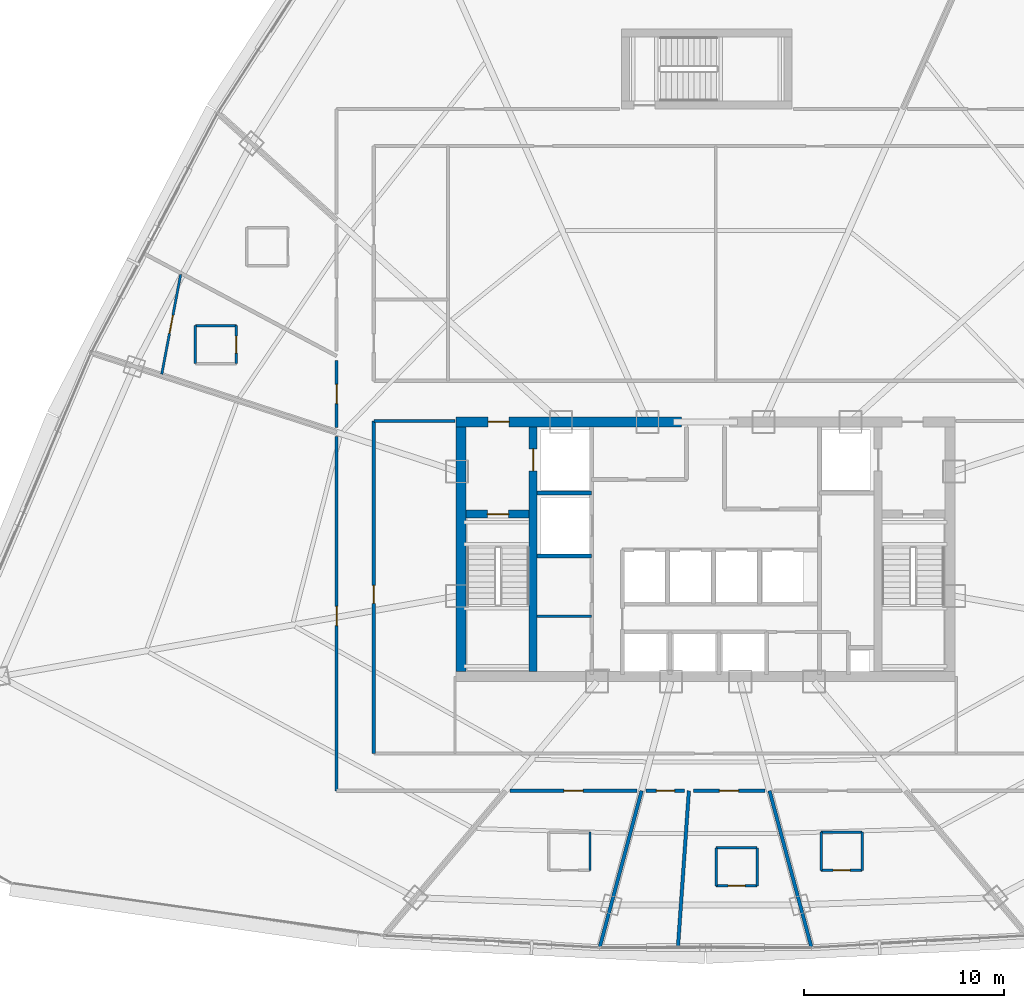
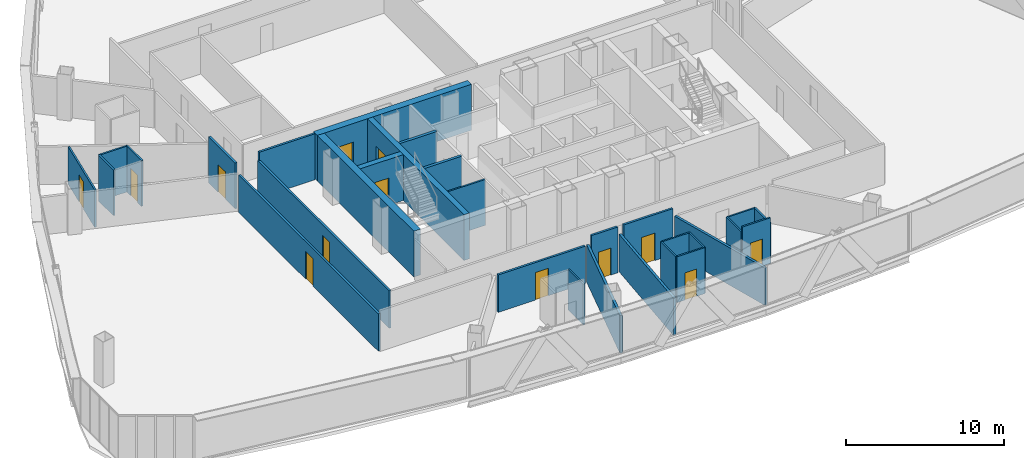
# One storey, part 32 of 40: 30 walls, 13 doors, 13 openings.
"""IFC4 building model written with IfcOpenShell, lengths in metres."""

from ifc_helpers import new_model, si_unit, direction, frame, frame_2d, origin, origin_with_axes, place, context, subcontext, project, spatial, rectangle, extrude, source, transform, mapped, material, layer, layer_set, type_object, element, fill, save


model = new_model("IFC4")

# Units and contexts
model_context = context("Model", 3, precision=1e-05, world=origin(), true_north=direction((0.0, 1.0)))
body_context = subcontext(model_context, "Body", "Model", "MODEL_VIEW")
ifc_project = project(units=[si_unit("LENGTHUNIT", "METRE"), si_unit("AREAUNIT", "SQUARE_METRE"), si_unit("VOLUMEUNIT", "CUBIC_METRE"), si_unit("PLANEANGLEUNIT", "RADIAN"), si_unit("MASSUNIT", "GRAM", prefix="KILO"), si_unit("THERMODYNAMICTEMPERATUREUNIT", "KELVIN"), si_unit("POWERUNIT", "WATT")], contexts=[model_context])

# Site, building, storey
site_placement = place(None, origin())
site = spatial("IfcSite", under=ifc_project, at=site_placement, CompositionType="ELEMENT")
building_placement = place(site_placement, origin())
building = spatial("IfcBuilding", under=site, at=building_placement, Name="Yunzhuo Pagoda Commons", CompositionType="ELEMENT")
storey_placement = place(building_placement, frame((0.0, 0.0, 180.9599609375)))
storey = spatial("IfcBuildingStorey", under=building, at=storey_placement, Name="L45", CompositionType="ELEMENT", Elevation=180.9599609375)

# Wall, opening, door
ifc_material_1 = material(Name="Concrete C50", Category="concrete")
ifc_layer_1 = layer(ifc_material_1, 0.5)
ifc_layer_set_1 = layer_set([ifc_layer_1], Name="Concrete C50")
wall_type_1 = type_object("IfcWallType", Name="W-C03 Upper Core Shear Wall 500", PredefinedType="SHEAR", material=ifc_layer_set_1)
wall_1_placement = place(storey_placement, frame((35.550048828125, 40.199951171875, 0.0), z_axis=(0.0, 0.0, 1.0), x_axis=(1.0, 0.0, 0.0)))
wall_1 = element("IfcWall", 1, at=wall_1_placement, inside=storey, type_object=wall_type_1, Name="L45 core shear wall NW", PredefinedType="SHEAR", context=body_context, shape_type="SweptSolid", body=[
    extrude(rectangle(XDim=11.25, YDim=0.5, at=frame_2d((5.625, 0.0))), origin(), (0.0, 0.0, 1.0), 3.5400390625),
])
opening_1_placement = place(wall_1_placement, frame((1.60009765625, 0.0, 0.0)))
opening_1 = element("IfcOpeningElement", 2, at=opening_1_placement, cuts=wall_1, Name="Opening D-02", PredefinedType="OPENING", context=body_context, shape_type="SweptSolid", body=[
    extrude(rectangle(XDim=1.050048828125, YDim=2.10009765625, at=frame_2d((0.52490234375, 1.050048828125))), frame((0.0, 0.260009765625, 0.0), z_axis=(0.0, -1.0, 0.0), x_axis=(1.0, 0.0, 0.0)), (0.0, 0.0, 1.0), 0.52001953125),
])
ifc_material_2 = material(Name="Galvanized fire-resisting metal leaf")
door_type_1 = type_object("IfcDoorType", Name="D-02 Firefighting Lobby & Refuge Fire Door 1050x2100", OperationType="NOTDEFINED", PredefinedType="DOOR", material=ifc_material_2)
shared_shape_1 = source(origin(), body_context, "Body", "SweptSolid", [
    extrude(rectangle(XDim=1.050048828125, YDim=2.10009765625, at=frame_2d((0.52490234375, 1.050048828125))), frame((0.0, 0.02490234375, 0.0), z_axis=(0.0, -1.0, 0.0), x_axis=(1.0, 0.0, 0.0)), (0.0, 0.0, 1.0), 0.050048828125),
])
door_1_placement = place(opening_1_placement, frame((1.050048828125, 0.0, 0.0), z_axis=(0.0, 0.0, 1.0), x_axis=(-1.0, 0.0, 0.0)))
door_1 = element("IfcDoor", 3, at=door_1_placement, inside=storey, type_object=door_type_1, Name="L45 Firefighting Lobby 1 fire door", OperationType="SINGLE_SWING_LEFT", OverallHeight=2.10009765625, OverallWidth=1.050048828125, PredefinedType="DOOR", context=body_context, shape_type="MappedRepresentation", body=[
    mapped(shared_shape_1, transform((0.0, 0.0, 0.0), scale=1.0)),
])
fill(opening_1, door_1)

# Wall
wall_2_placement = place(storey_placement, frame((35.800048828125, 27.75, 0.0), z_axis=(0.0, 0.0, 1.0), x_axis=(0.0, 1.0, 0.0)))
element("IfcWall", 4, at=wall_2_placement, inside=storey, type_object=wall_type_1, Name="L45 core shear wall W", PredefinedType="SHEAR", context=body_context, shape_type="SweptSolid", body=[
    extrude(rectangle(XDim=12.199951171875, YDim=0.5, at=frame_2d((6.10009765625, 0.0))), origin(), (0.0, 0.0, 1.0), 3.5400390625),
])

# Wall, opening, door
ifc_material_3 = material(Name="Gypsum plasterboard on acoustic stud")
ifc_layer_2 = layer(ifc_material_3, 0.155029296875)
ifc_layer_set_2 = layer_set([ifc_layer_2], Name="Gypsum plasterboard on acoustic stud")
wall_type_2 = type_object("IfcWallType", Name="W-COR2 Mid-Zone Rated Corridor Wall 155", PredefinedType="PARTITIONING", material=ifc_layer_set_2)
wall_3_placement = place(storey_placement, frame((31.449951171875, 23.64990234375, 0.0), z_axis=(0.0, 0.0, 1.0), x_axis=(0.0, 1.0, 0.0)))
wall_3 = element("IfcWall", 5, at=wall_3_placement, inside=storey, type_object=wall_type_2, Name="L45 interior wall IW-L45-SFLW", PredefinedType="PARTITIONING", context=body_context, shape_type="SweptSolid", body=[
    extrude(rectangle(XDim=16.60009765625, YDim=0.155029296875, at=frame_2d((8.300048828125, 0.0))), origin(), (0.0, 0.0, 1.0), 2.89013671875),
])
opening_2_placement = place(wall_3_placement, frame((7.5, 0.0, 0.0)))
opening_2 = element("IfcOpeningElement", 6, at=opening_2_placement, cuts=wall_3, Name="Opening D-12", PredefinedType="OPENING", context=body_context, shape_type="SweptSolid", body=[
    extrude(rectangle(XDim=0.89990234375, YDim=2.080078125, at=frame_2d((0.449951171875, 1.0400390625))), frame((0.0, 0.08740234375, 0.0), z_axis=(0.0, -1.0, 0.0), x_axis=(1.0, 0.0, 0.0)), (0.0, 0.0, 1.0), 0.175048828125),
])
ifc_material_4 = material(Name="Powder-coated aluminium and timber acoustic leaf", Category="wood")
door_type_2 = type_object("IfcDoorType", Name="D-12 Quiet Study Interior Door 900x2080", OperationType="NOTDEFINED", PredefinedType="DOOR", material=ifc_material_4)
shared_shape_2 = source(origin(), body_context, "Body", "SweptSolid", [
    extrude(rectangle(XDim=0.89990234375, YDim=2.080078125, at=frame_2d((0.449951171875, 1.0400390625))), frame((0.0, 0.02490234375, 0.0), z_axis=(0.0, -1.0, 0.0), x_axis=(1.0, 0.0, 0.0)), (0.0, 0.0, 1.0), 0.050048828125),
])
door_2_placement = place(opening_2_placement, origin_with_axes())
door_2 = element("IfcDoor", 7, at=door_2_placement, inside=storey, type_object=door_type_2, Name="L45 west study workroom door", OperationType="SINGLE_SWING_LEFT", OverallHeight=2.080078125, OverallWidth=0.89990234375, PredefinedType="DOOR", context=body_context, shape_type="MappedRepresentation", body=[
    mapped(shared_shape_2, transform((0.0, 0.0, 0.0), scale=1.0)),
])
fill(opening_2, door_2)

# Wall
wall_4_placement = place(storey_placement, frame((31.449951171875, 40.25, 0.0), z_axis=(0.0, 0.0, 1.0), x_axis=(1.0, 0.0, 0.0)))
element("IfcWall", 8, at=wall_4_placement, inside=storey, type_object=wall_type_2, Name="L45 interior wall IW-L45-SFLNW", PredefinedType="PARTITIONING", context=body_context, shape_type="SweptSolid", body=[
    extrude(rectangle(XDim=4.050048828125, YDim=0.155029296875, at=frame_2d((2.02490234375, 0.0))), origin(), (0.0, 0.0, 1.0), 3.5400390625),
])

# Wall, opening, door
wall_5_placement = place(storey_placement, frame((29.60009765625, 21.800048828125, 0.0), z_axis=(0.0, 0.0, 1.0), x_axis=(0.0, 1.0, 0.0)))
wall_5 = element("IfcWall", 9, at=wall_5_placement, inside=storey, type_object=wall_type_2, Name="L45 interior wall IW-L45-CWL01", PredefinedType="PARTITIONING", context=body_context, shape_type="SweptSolid", body=[
    extrude(rectangle(XDim=17.65869140625, YDim=0.155029296875, at=frame_2d((8.829345703125, 0.0))), origin(), (0.0, 0.0, 1.0), 2.89013671875),
])
opening_3_placement = place(wall_5_placement, frame((8.234375, 0.0, 0.0)))
opening_3 = element("IfcOpeningElement", 10, at=opening_3_placement, cuts=wall_5, Name="Opening D-07", PredefinedType="OPENING", context=body_context, shape_type="SweptSolid", body=[
    extrude(rectangle(XDim=0.9599609375, YDim=2.1201171875, at=frame_2d((0.47998046875, 1.06005859375))), frame((0.0, 0.08740234375, 0.0), z_axis=(0.0, -1.0, 0.0), x_axis=(1.0, 0.0, 0.0)), (0.0, 0.0, 1.0), 0.175048828125),
])
door_type_3 = type_object("IfcDoorType", Name="D-07 Mid-Zone Suite Entrance Fire Door 960x2120", OperationType="NOTDEFINED", PredefinedType="DOOR", material=ifc_material_2)
shared_shape_3 = source(origin(), body_context, "Body", "SweptSolid", [
    extrude(rectangle(XDim=0.9599609375, YDim=2.1201171875, at=frame_2d((0.47998046875, 1.06005859375))), frame((0.0, 0.02490234375, 0.0), z_axis=(0.0, -1.0, 0.0), x_axis=(1.0, 0.0, 0.0)), (0.0, 0.0, 1.0), 0.050048828125),
])
door_3_placement = place(opening_3_placement, origin_with_axes())
door_3 = element("IfcDoor", 11, at=door_3_placement, inside=storey, type_object=door_type_3, Name="L45 Resident Co-Living Commons Hall door", OperationType="SINGLE_SWING_RIGHT", OverallHeight=2.1201171875, OverallWidth=0.9599609375, PredefinedType="DOOR", context=body_context, shape_type="MappedRepresentation", body=[
    mapped(shared_shape_3, transform((0.0, 0.0, 0.0), scale=1.0)),
])
fill(opening_3, door_3)

wall_6_placement = place(storey_placement, frame((29.60009765625, 39.909912109375, 0.0), z_axis=(0.0, 0.0, 1.0), x_axis=(0.0, 1.0, 0.0)))
wall_6 = element("IfcWall", 12, at=wall_6_placement, inside=storey, type_object=wall_type_2, Name="L45 interior wall IW-L45-CWL02", PredefinedType="PARTITIONING", context=body_context, shape_type="SweptSolid", body=[
    extrude(rectangle(XDim=3.353515625, YDim=0.155029296875, at=frame_2d((1.6767578125, 0.0))), origin(), (0.0, 0.0, 1.0), 3.5400390625),
])
opening_4_placement = place(wall_6_placement, frame((1.1962890625, 0.0, 0.0)))
opening_4 = element("IfcOpeningElement", 13, at=opening_4_placement, cuts=wall_6, Name="Opening D-07", PredefinedType="OPENING", context=body_context, shape_type="SweptSolid", body=[
    extrude(rectangle(XDim=0.9599609375, YDim=2.1201171875, at=frame_2d((0.47998046875, 1.06005859375))), frame((0.0, 0.08740234375, 0.0), z_axis=(0.0, -1.0, 0.0), x_axis=(1.0, 0.0, 0.0)), (0.0, 0.0, 1.0), 0.175048828125),
])
door_4_placement = place(opening_4_placement, origin_with_axes())
door_4 = element("IfcDoor", 14, at=door_4_placement, inside=storey, type_object=door_type_3, Name="L45 unit 07 entrance door", OperationType="SINGLE_SWING_LEFT", OverallHeight=2.1201171875, OverallWidth=0.9599609375, PredefinedType="DOOR", context=body_context, shape_type="MappedRepresentation", body=[
    mapped(shared_shape_3, transform((0.0, 0.0, 0.0), scale=1.0)),
])
fill(opening_4, door_4)

wall_7_placement = place(storey_placement, frame((50.96875, 21.800048828125, 0.0), z_axis=(0.0, 0.0, 1.0), x_axis=(-1.0, 0.0, 0.0)))
wall_7 = element("IfcWall", 15, at=wall_7_placement, inside=storey, type_object=wall_type_2, Name="L45 interior wall IW-L45-CWL15", PredefinedType="PARTITIONING", context=body_context, shape_type="SweptSolid", body=[
    extrude(rectangle(XDim=3.5810546875, YDim=0.155029296875, at=frame_2d((1.79052734375, 0.0))), origin(), (0.0, 0.0, 1.0), 3.5400390625),
])
opening_5_placement = place(wall_7_placement, frame((1.3154296875, 0.0, 0.0)))
opening_5 = element("IfcOpeningElement", 16, at=opening_5_placement, cuts=wall_7, Name="Opening D-07", PredefinedType="OPENING", context=body_context, shape_type="SweptSolid", body=[
    extrude(rectangle(XDim=0.9599609375, YDim=2.1201171875, at=frame_2d((0.47998046875, 1.06005859375))), frame((0.0, 0.08740234375, 0.0), z_axis=(0.0, -1.0, 0.0), x_axis=(1.0, 0.0, 0.0)), (0.0, 0.0, 1.0), 0.175048828125),
])
door_5_placement = place(opening_5_placement, origin_with_axes())
door_5 = element("IfcDoor", 17, at=door_5_placement, inside=storey, type_object=door_type_3, Name="L45 unit 11 entrance door", OperationType="SINGLE_SWING_LEFT", OverallHeight=2.1201171875, OverallWidth=0.9599609375, PredefinedType="DOOR", context=body_context, shape_type="MappedRepresentation", body=[
    mapped(shared_shape_3, transform((0.0, 0.0, 0.0), scale=1.0)),
])
fill(opening_5, door_5)

wall_8_placement = place(storey_placement, frame((46.947509765625, 21.800048828125, 0.0), z_axis=(0.0, 0.0, 1.0), x_axis=(-1.0, 0.0, 0.0)))
wall_8 = element("IfcWall", 18, at=wall_8_placement, inside=storey, type_object=wall_type_2, Name="L45 interior wall IW-L45-CWL16", PredefinedType="PARTITIONING", context=body_context, shape_type="SweptSolid", body=[
    extrude(rectangle(XDim=1.916259765625, YDim=0.155029296875, at=frame_2d((0.9580078125, 0.0))), origin(), (0.0, 0.0, 1.0), 3.5400390625),
])
opening_6_placement = place(wall_8_placement, frame((0.497802734375, 0.0, 0.0)))
opening_6 = element("IfcOpeningElement", 19, at=opening_6_placement, cuts=wall_8, Name="Opening D-12", PredefinedType="OPENING", context=body_context, shape_type="SweptSolid", body=[
    extrude(rectangle(XDim=0.89990234375, YDim=2.080078125, at=frame_2d((0.449951171875, 1.0400390625))), frame((0.0, 0.08740234375, 0.0), z_axis=(0.0, -1.0, 0.0), x_axis=(1.0, 0.0, 0.0)), (0.0, 0.0, 1.0), 0.175048828125),
])
door_6_placement = place(opening_6_placement, origin_with_axes())
door_6 = element("IfcDoor", 20, at=door_6_placement, inside=storey, type_object=door_type_2, Name="L45 study lounge 10 door", OperationType="SINGLE_SWING_RIGHT", OverallHeight=2.080078125, OverallWidth=0.89990234375, PredefinedType="DOOR", context=body_context, shape_type="MappedRepresentation", body=[
    mapped(shared_shape_2, transform((0.0, 0.0, 0.0), scale=1.0)),
])
fill(opening_6, door_6)

wall_9_placement = place(storey_placement, frame((44.58349609375, 21.800048828125, 0.0), z_axis=(0.0, 0.0, 1.0), x_axis=(-1.0, 0.0, 0.0)))
wall_9 = element("IfcWall", 21, at=wall_9_placement, inside=storey, type_object=wall_type_2, Name="L45 interior wall IW-L45-CWL17", PredefinedType="PARTITIONING", context=body_context, shape_type="SweptSolid", body=[
    extrude(rectangle(XDim=6.348876953125, YDim=0.155029296875, at=frame_2d((3.17431640625, 0.0))), origin(), (0.0, 0.0, 1.0), 2.89013671875),
])
opening_7_placement = place(wall_9_placement, frame((2.695556640625, 0.0, 0.0)))
opening_7 = element("IfcOpeningElement", 22, at=opening_7_placement, cuts=wall_9, Name="Opening D-07", PredefinedType="OPENING", context=body_context, shape_type="SweptSolid", body=[
    extrude(rectangle(XDim=0.9599609375, YDim=2.1201171875, at=frame_2d((0.47998046875, 1.06005859375))), frame((0.0, 0.08740234375, 0.0), z_axis=(0.0, -1.0, 0.0), x_axis=(1.0, 0.0, 0.0)), (0.0, 0.0, 1.0), 0.175048828125),
])
door_7_placement = place(opening_7_placement, origin_with_axes())
door_7 = element("IfcDoor", 23, at=door_7_placement, inside=storey, type_object=door_type_3, Name="L45 unit 09 entrance door", OperationType="SINGLE_SWING_LEFT", OverallHeight=2.1201171875, OverallWidth=0.9599609375, PredefinedType="DOOR", context=body_context, shape_type="MappedRepresentation", body=[
    mapped(shared_shape_3, transform((0.0, 0.0, 0.0), scale=1.0)),
])
fill(opening_7, door_7)

# Wall
ifc_layer_3 = layer(ifc_material_3, 0.1201171875)
ifc_layer_set_3 = layer_set([ifc_layer_3], Name="Gypsum plasterboard on acoustic stud")
wall_type_3 = type_object("IfcWallType", Name="W-PRT1 Suite & Bathroom Partition 120", PredefinedType="PARTITIONING", material=ifc_layer_set_3)
wall_10_placement = place(storey_placement, frame((39.60009765625, 30.5, 0.0), z_axis=(0.0, 0.0, 1.0), x_axis=(1.0, 0.0, 0.0)))
element("IfcWall", 24, at=wall_10_placement, inside=storey, type_object=wall_type_3, Name="L45 interior wall IW-L45-CB1", PredefinedType="PARTITIONING", context=body_context, shape_type="SweptSolid", body=[
    extrude(rectangle(XDim=2.719970703125, YDim=0.1201171875, at=frame_2d((1.35986328125, 0.0))), origin(), (0.0, 0.0, 1.0), 3.5400390625),
])

# Wall, opening, door
wall_11_placement = place(storey_placement, frame((24.596923828125, 43.09912109375, 0.0), z_axis=(0.0, 0.0, 1.0), x_axis=(0.0, 1.0, 0.0)))
wall_11 = element("IfcWall", 25, at=wall_11_placement, inside=storey, type_object=wall_type_3, Name="L45 interior wall IW-L45-B07E", PredefinedType="PARTITIONING", context=body_context, shape_type="SweptSolid", body=[
    extrude(rectangle(XDim=1.89990234375, YDim=0.1201171875, at=frame_2d((0.949951171875, 0.0))), origin(), (0.0, 0.0, 1.0), 3.5400390625),
])
opening_8_placement = place(wall_11_placement, frame((0.52490234375, 0.0, 0.0)))
opening_8 = element("IfcOpeningElement", 26, at=opening_8_placement, cuts=wall_11, Name="Opening D-05", PredefinedType="OPENING", context=body_context, shape_type="SweptSolid", body=[
    extrude(rectangle(XDim=0.85009765625, YDim=2.10009765625, at=frame_2d((0.425048828125, 1.050048828125))), frame((0.0, 0.070068359375, 0.0), z_axis=(0.0, -1.0, 0.0), x_axis=(1.0, 0.0, 0.0)), (0.0, 0.0, 1.0), 0.14013671875),
])
door_type_4 = type_object("IfcDoorType", Name="D-05 En-Suite Bathroom Door 850x2100", OperationType="NOTDEFINED", PredefinedType="DOOR", material=ifc_material_4)
shared_shape_4 = source(origin(), body_context, "Body", "SweptSolid", [
    extrude(rectangle(XDim=0.85009765625, YDim=2.10009765625, at=frame_2d((0.425048828125, 1.050048828125))), frame((0.0, 0.02490234375, 0.0), z_axis=(0.0, -1.0, 0.0), x_axis=(1.0, 0.0, 0.0)), (0.0, 0.0, 1.0), 0.050048828125),
])
door_8_placement = place(opening_8_placement, frame((0.85009765625, 0.0, 0.0), z_axis=(0.0, 0.0, 1.0), x_axis=(-1.0, 0.0, 0.0)))
door_8 = element("IfcDoor", 27, at=door_8_placement, inside=storey, type_object=door_type_4, Name="L45 unit 07 bathroom door", OperationType="SINGLE_SWING_LEFT", OverallHeight=2.10009765625, OverallWidth=0.85009765625, PredefinedType="DOOR", context=body_context, shape_type="MappedRepresentation", body=[
    mapped(shared_shape_4, transform((0.0, 0.0, 0.0), scale=1.0)),
])
fill(opening_8, door_8)

# Walls
wall_12_placement = place(storey_placement, frame((24.596923828125, 44.9990234375, 0.0), z_axis=(0.0, 0.0, 1.0), x_axis=(-1.0, 0.0, 0.0)))
element("IfcWall", 28, at=wall_12_placement, inside=storey, type_object=wall_type_3, Name="L45 interior wall IW-L45-B07N", PredefinedType="PARTITIONING", context=body_context, shape_type="SweptSolid", body=[
    extrude(rectangle(XDim=2.0498046875, YDim=0.1201171875, at=frame_2d((1.02490234375, 0.0))), origin(), (0.0, 0.0, 1.0), 3.5400390625),
])
wall_13_placement = place(storey_placement, frame((22.547119140625, 44.9990234375, 0.0), z_axis=(0.0, 0.0, 1.0), x_axis=(0.0, -1.0, 0.0)))
element("IfcWall", 29, at=wall_13_placement, inside=storey, type_object=wall_type_3, Name="L45 interior wall IW-L45-B07W", PredefinedType="PARTITIONING", context=body_context, shape_type="SweptSolid", body=[
    extrude(rectangle(XDim=1.89990234375, YDim=0.1201171875, at=frame_2d((0.949951171875, 0.0))), origin(), (0.0, 0.0, 1.0), 3.5400390625),
])

# Wall, opening, door
wall_14_placement = place(storey_placement, frame((21.818359375, 47.55322265625, 0.0), z_axis=(0.0, 0.0, 1.0), x_axis=(-0.186234987185, -0.982505231308, 0.0)))
wall_14 = element("IfcWall", 30, at=wall_14_placement, inside=storey, type_object=wall_type_3, Name="L45 interior wall IW-L45-CLB07", PredefinedType="PARTITIONING", context=body_context, shape_type="SweptSolid", body=[
    extrude(rectangle(XDim=5.0654296875, YDim=0.1201171875, at=frame_2d((2.53271484375, 0.0))), origin(), (0.0, 0.0, 1.0), 2.89013671875),
])
opening_9_placement = place(wall_14_placement, frame((2.072509765625, 0.0, 0.0)))
opening_9 = element("IfcOpeningElement", 31, at=opening_9_placement, cuts=wall_14, Name="Opening D-04", PredefinedType="OPENING", context=body_context, shape_type="SweptSolid", body=[
    extrude(rectangle(XDim=0.919921875, YDim=2.10009765625, at=frame_2d((0.4599609375, 1.050048828125))), frame((0.0, 0.070068359375, 0.0), z_axis=(0.0, -1.0, 0.0), x_axis=(1.0, 0.0, 0.0)), (0.0, 0.0, 1.0), 0.14013671875),
])
door_type_5 = type_object("IfcDoorType", Name="D-04 Bedroom & Study Interior Door 920x2100", OperationType="NOTDEFINED", PredefinedType="DOOR", material=ifc_material_4)
shared_shape_5 = source(origin(), body_context, "Body", "SweptSolid", [
    extrude(rectangle(XDim=0.919921875, YDim=2.10009765625, at=frame_2d((0.4599609375, 1.050048828125))), frame((0.0, 0.02490234375, 0.0), z_axis=(0.0, -1.0, 0.0), x_axis=(1.0, 0.0, 0.0)), (0.0, 0.0, 1.0), 0.050048828125),
])
door_9_placement = place(opening_9_placement, origin_with_axes())
door_9 = element("IfcDoor", 32, at=door_9_placement, inside=storey, type_object=door_type_5, Name="L45 suite 07 bedroom door", OperationType="SINGLE_SWING_LEFT", OverallHeight=2.10009765625, OverallWidth=0.919921875, PredefinedType="DOOR", context=body_context, shape_type="MappedRepresentation", body=[
    mapped(shared_shape_5, transform((0.0, 0.0, 0.0), scale=1.0)),
])
fill(opening_9, door_9)

# Wall
wall_15_placement = place(storey_placement, frame((42.237060546875, 17.833984375, 0.0), z_axis=(0.0, 0.0, 1.0), x_axis=(0.0, 1.0, 0.0)))
element("IfcWall", 33, at=wall_15_placement, inside=storey, type_object=wall_type_3, Name="L45 interior wall IW-L45-B09E", PredefinedType="PARTITIONING", context=body_context, shape_type="SweptSolid", body=[
    extrude(rectangle(XDim=1.89990234375, YDim=0.1201171875, at=frame_2d((0.949951171875, 0.0))), origin(), (0.0, 0.0, 1.0), 3.14013671875),
])

# Wall, opening, door
wall_16_placement = place(storey_placement, frame((48.52490234375, 17.054931640625, 0.0), z_axis=(0.0, 0.0, 1.0), x_axis=(1.0, 0.0, 0.0)))
wall_16 = element("IfcWall", 34, at=wall_16_placement, inside=storey, type_object=wall_type_3, Name="L45 interior wall IW-L45-B11S", PredefinedType="PARTITIONING", context=body_context, shape_type="SweptSolid", body=[
    extrude(rectangle(XDim=2.050048828125, YDim=0.1201171875, at=frame_2d((1.02490234375, 0.0))), origin(), (0.0, 0.0, 1.0), 3.5400390625),
])
opening_10_placement = place(wall_16_placement, frame((0.60009765625, 0.0, 0.0)))
opening_10 = element("IfcOpeningElement", 35, at=opening_10_placement, cuts=wall_16, Name="Opening D-05", PredefinedType="OPENING", context=body_context, shape_type="SweptSolid", body=[
    extrude(rectangle(XDim=0.85009765625, YDim=2.10009765625, at=frame_2d((0.425048828125, 1.050048828125))), frame((0.0, 0.070068359375, 0.0), z_axis=(0.0, -1.0, 0.0), x_axis=(1.0, 0.0, 0.0)), (0.0, 0.0, 1.0), 0.14013671875),
])
door_10_placement = place(opening_10_placement, frame((0.85009765625, 0.0, 0.0), z_axis=(0.0, 0.0, 1.0), x_axis=(-1.0, 0.0, 0.0)))
door_10 = element("IfcDoor", 36, at=door_10_placement, inside=storey, type_object=door_type_4, Name="L45 unit 11 bathroom door", OperationType="SINGLE_SWING_LEFT", OverallHeight=2.10009765625, OverallWidth=0.85009765625, PredefinedType="DOOR", context=body_context, shape_type="MappedRepresentation", body=[
    mapped(shared_shape_4, transform((0.0, 0.0, 0.0), scale=1.0)),
])
fill(opening_10, door_10)

# Walls
wall_17_placement = place(storey_placement, frame((50.574951171875, 17.054931640625, 0.0), z_axis=(0.0, 0.0, 1.0), x_axis=(0.0, 1.0, 0.0)))
element("IfcWall", 37, at=wall_17_placement, inside=storey, type_object=wall_type_3, Name="L45 interior wall IW-L45-B11E", PredefinedType="PARTITIONING", context=body_context, shape_type="SweptSolid", body=[
    extrude(rectangle(XDim=1.900146484375, YDim=0.1201171875, at=frame_2d((0.9501953125, 0.0))), origin(), (0.0, 0.0, 1.0), 3.5400390625),
])
wall_18_placement = place(storey_placement, frame((50.574951171875, 18.955078125, 0.0), z_axis=(0.0, 0.0, 1.0), x_axis=(-1.0, 0.0, 0.0)))
element("IfcWall", 38, at=wall_18_placement, inside=storey, type_object=wall_type_3, Name="L45 interior wall IW-L45-B11N", PredefinedType="PARTITIONING", context=body_context, shape_type="SweptSolid", body=[
    extrude(rectangle(XDim=2.050048828125, YDim=0.1201171875, at=frame_2d((1.02490234375, 0.0))), origin(), (0.0, 0.0, 1.0), 3.5400390625),
])
wall_19_placement = place(storey_placement, frame((48.52490234375, 18.955078125, 0.0), z_axis=(0.0, 0.0, 1.0), x_axis=(0.0, -1.0, 0.0)))
element("IfcWall", 39, at=wall_19_placement, inside=storey, type_object=wall_type_3, Name="L45 interior wall IW-L45-B11W", PredefinedType="PARTITIONING", context=body_context, shape_type="SweptSolid", body=[
    extrude(rectangle(XDim=1.900146484375, YDim=0.1201171875, at=frame_2d((0.9501953125, 0.0))), origin(), (0.0, 0.0, 1.0), 3.5400390625),
])

# Wall, opening, door
wall_20_placement = place(storey_placement, frame((53.762939453125, 17.833984375, 0.0), z_axis=(0.0, 0.0, 1.0), x_axis=(1.0, 0.0, 0.0)))
wall_20 = element("IfcWall", 40, at=wall_20_placement, inside=storey, type_object=wall_type_3, Name="L45 interior wall IW-L45-B12S", PredefinedType="PARTITIONING", context=body_context, shape_type="SweptSolid", body=[
    extrude(rectangle(XDim=2.050048828125, YDim=0.1201171875, at=frame_2d((1.02490234375, 0.0))), origin(), (0.0, 0.0, 1.0), 3.5400390625),
])
opening_11_placement = place(wall_20_placement, frame((0.60009765625, 0.0, 0.0)))
opening_11 = element("IfcOpeningElement", 41, at=opening_11_placement, cuts=wall_20, Name="Opening D-05", PredefinedType="OPENING", context=body_context, shape_type="SweptSolid", body=[
    extrude(rectangle(XDim=0.85009765625, YDim=2.10009765625, at=frame_2d((0.425048828125, 1.050048828125))), frame((0.0, 0.070068359375, 0.0), z_axis=(0.0, -1.0, 0.0), x_axis=(1.0, 0.0, 0.0)), (0.0, 0.0, 1.0), 0.14013671875),
])
door_11_placement = place(opening_11_placement, frame((0.85009765625, 0.0, 0.0), z_axis=(0.0, 0.0, 1.0), x_axis=(-1.0, 0.0, 0.0)))
door_11 = element("IfcDoor", 42, at=door_11_placement, inside=storey, type_object=door_type_4, Name="L45 unit 12 bathroom door", OperationType="SINGLE_SWING_RIGHT", OverallHeight=2.10009765625, OverallWidth=0.85009765625, PredefinedType="DOOR", context=body_context, shape_type="MappedRepresentation", body=[
    mapped(shared_shape_4, transform((0.0, 0.0, 0.0), scale=1.0)),
])
fill(opening_11, door_11)

# Walls
wall_21_placement = place(storey_placement, frame((55.81298828125, 17.833984375, 0.0), z_axis=(0.0, 0.0, 1.0), x_axis=(0.0, 1.0, 0.0)))
element("IfcWall", 43, at=wall_21_placement, inside=storey, type_object=wall_type_3, Name="L45 interior wall IW-L45-B12E", PredefinedType="PARTITIONING", context=body_context, shape_type="SweptSolid", body=[
    extrude(rectangle(XDim=1.89990234375, YDim=0.1201171875, at=frame_2d((0.949951171875, 0.0))), origin(), (0.0, 0.0, 1.0), 3.14013671875),
])
wall_22_placement = place(storey_placement, frame((55.81298828125, 19.73388671875, 0.0), z_axis=(0.0, 0.0, 1.0), x_axis=(-1.0, 0.0, 0.0)))
element("IfcWall", 44, at=wall_22_placement, inside=storey, type_object=wall_type_3, Name="L45 interior wall IW-L45-B12N", PredefinedType="PARTITIONING", context=body_context, shape_type="SweptSolid", body=[
    extrude(rectangle(XDim=2.050048828125, YDim=0.1201171875, at=frame_2d((1.02490234375, 0.0))), origin(), (0.0, 0.0, 1.0), 3.14013671875),
])
wall_23_placement = place(storey_placement, frame((53.762939453125, 19.73388671875, 0.0), z_axis=(0.0, 0.0, 1.0), x_axis=(0.0, -1.0, 0.0)))
element("IfcWall", 45, at=wall_23_placement, inside=storey, type_object=wall_type_3, Name="L45 interior wall IW-L45-B12W", PredefinedType="PARTITIONING", context=body_context, shape_type="SweptSolid", body=[
    extrude(rectangle(XDim=1.89990234375, YDim=0.1201171875, at=frame_2d((0.949951171875, 0.0))), origin(), (0.0, 0.0, 1.0), 3.14013671875),
])
ifc_layer_4 = layer(ifc_material_3, 0.175048828125)
ifc_layer_set_4 = layer_set([ifc_layer_4], Name="Gypsum plasterboard on acoustic stud")
wall_type_4 = type_object("IfcWallType", Name="W-PRT3 Mid-Zone Demising Wall 175", PredefinedType="PARTITIONING", material=ifc_layer_set_4)
wall_24_placement = place(storey_placement, frame((44.811279296875, 21.800048828125, 0.0), z_axis=(0.0, 0.0, 1.0), x_axis=(-0.258815374981, -0.965926809688, 0.0)))
element("IfcWall", 46, at=wall_24_placement, inside=storey, type_object=wall_type_4, Name="L45 interior wall IW-L45-RAD10", PredefinedType="PARTITIONING", context=body_context, shape_type="SweptSolid", body=[
    extrude(rectangle(XDim=8.105712890625, YDim=0.175048828125, at=frame_2d((4.052734375, 0.0))), origin(), (0.0, 0.0, 1.0), 2.89013671875),
])
wall_25_placement = place(storey_placement, frame((47.16796875, 21.800048828125, 0.0), z_axis=(0.0, 0.0, 1.0), x_axis=(-0.069770314737, -0.997563082307, 0.0)))
element("IfcWall", 47, at=wall_25_placement, inside=storey, type_object=wall_type_4, Name="L45 interior wall IW-L45-RAD11", PredefinedType="PARTITIONING", context=body_context, shape_type="SweptSolid", body=[
    extrude(rectangle(XDim=7.8486328125, YDim=0.175048828125, at=frame_2d((3.92431640625, 0.0))), origin(), (0.0, 0.0, 1.0), 2.89013671875),
])
wall_26_placement = place(storey_placement, frame((51.188720703125, 21.800048828125, 0.0), z_axis=(0.0, 0.0, 1.0), x_axis=(0.258815374981, -0.965926809688, 0.0)))
element("IfcWall", 48, at=wall_26_placement, inside=storey, type_object=wall_type_4, Name="L45 interior wall IW-L45-RAD12", PredefinedType="PARTITIONING", context=body_context, shape_type="SweptSolid", body=[
    extrude(rectangle(XDim=8.105712890625, YDim=0.175048828125, at=frame_2d((4.052734375, 0.0))), origin(), (0.0, 0.0, 1.0), 2.89013671875),
])

# Wall, opening, door
ifc_material_5 = material(Name="Concrete C60", Category="concrete")
ifc_layer_5 = layer(ifc_material_5, 0.39990234375)
ifc_layer_set_5 = layer_set([ifc_layer_5], Name="Concrete C60")
wall_type_5 = type_object("IfcWallType", Name="W-S01 Internal Core Shear Web 400", PredefinedType="SHEAR", material=ifc_layer_set_5)
wall_27_placement = place(storey_placement, frame((39.39990234375, 27.75, 0.0), z_axis=(0.0, 0.0, 1.0), x_axis=(0.0, 1.0, 0.0)))
wall_27 = element("IfcWall", 49, at=wall_27_placement, inside=storey, type_object=wall_type_5, Name="L45 core shear wall WEBW", PredefinedType="SHEAR", context=body_context, shape_type="SweptSolid", body=[
    extrude(rectangle(XDim=12.199951171875, YDim=0.39990234375, at=frame_2d((6.10009765625, 0.0))), origin(), (0.0, 0.0, 1.0), 3.5400390625),
])
opening_12_placement = place(wall_27_placement, frame((10.0, 0.0, 0.0)))
opening_12 = element("IfcOpeningElement", 50, at=opening_12_placement, cuts=wall_27, Name="Opening LD-01", PredefinedType="OPENING", context=body_context, shape_type="SweptSolid", body=[
    extrude(rectangle(XDim=1.10009765625, YDim=2.10009765625, at=frame_2d((0.550048828125, 1.050048828125))), frame((0.0, 0.2099609375, 0.0), z_axis=(0.0, -1.0, 0.0), x_axis=(1.0, 0.0, 0.0)), (0.0, 0.0, 1.0), 0.419921875),
])
door_type_6 = type_object("IfcDoorType", Name="LD-01 Firefighting Lift Landing Door 1100x2100", OperationType="DOUBLE_DOOR_SLIDING", PredefinedType="DOOR", material=ifc_material_2)
shared_shape_6 = source(origin(), body_context, "Body", "SweptSolid", [
    extrude(rectangle(XDim=1.10009765625, YDim=2.10009765625, at=frame_2d((0.550048828125, 1.050048828125))), frame((0.0, 0.02490234375, 0.0), z_axis=(0.0, -1.0, 0.0), x_axis=(1.0, 0.0, 0.0)), (0.0, 0.0, 1.0), 0.050048828125),
])
door_12_placement = place(opening_12_placement, frame((1.10009765625, 0.0, 0.0), z_axis=(0.0, 0.0, 1.0), x_axis=(-1.0, 0.0, 0.0)))
door_12 = element("IfcDoor", 51, at=door_12_placement, inside=storey, type_object=door_type_6, Name="L45 Firefighting lift FL-1 landing door", OperationType="DOUBLE_DOOR_SLIDING", OverallHeight=2.10009765625, OverallWidth=1.10009765625, PredefinedType="DOOR", context=body_context, shape_type="MappedRepresentation", body=[
    mapped(shared_shape_6, transform((0.0, 0.0, 0.0), scale=1.0)),
])
fill(opening_12, door_12)

wall_28_placement = place(storey_placement, frame((36.050048828125, 35.60009765625, 0.0), z_axis=(0.0, 0.0, 1.0), x_axis=(1.0, 0.0, 0.0)))
wall_28 = element("IfcWall", 52, at=wall_28_placement, inside=storey, type_object=wall_type_5, Name="L45 core shear wall STW", PredefinedType="SHEAR", context=body_context, shape_type="SweptSolid", body=[
    extrude(rectangle(XDim=3.14990234375, YDim=0.39990234375, at=frame_2d((1.574951171875, 0.0))), origin(), (0.0, 0.0, 1.0), 3.5400390625),
])
opening_13_placement = place(wall_28_placement, frame((1.070068359375, 0.0, 0.0)))
opening_13 = element("IfcOpeningElement", 53, at=opening_13_placement, cuts=wall_28, Name="Opening D-01", PredefinedType="OPENING", context=body_context, shape_type="SweptSolid", body=[
    extrude(rectangle(XDim=1.050048828125, YDim=2.10009765625, at=frame_2d((0.52490234375, 1.050048828125))), frame((0.0, 0.2099609375, 0.0), z_axis=(0.0, -1.0, 0.0), x_axis=(1.0, 0.0, 0.0)), (0.0, 0.0, 1.0), 0.419921875),
])
door_type_7 = type_object("IfcDoorType", Name="D-01 Smokeproof Stair Fire Door 1050x2100", OperationType="NOTDEFINED", PredefinedType="DOOR", material=ifc_material_2)
door_13_placement = place(opening_13_placement, frame((1.050048828125, 0.0, 0.0), z_axis=(0.0, 0.0, 1.0), x_axis=(-1.0, 0.0, 0.0)))
door_13 = element("IfcDoor", 54, at=door_13_placement, inside=storey, type_object=door_type_7, Name="L45 Stair ST1 fire door", OperationType="SINGLE_SWING_LEFT", OverallHeight=2.10009765625, OverallWidth=1.050048828125, PredefinedType="DOOR", context=body_context, shape_type="MappedRepresentation", body=[
    mapped(shared_shape_1, transform((0.0, 0.0, 0.0), scale=1.0)),
])
fill(opening_13, door_13)

# Walls
ifc_material_6 = material(Name="Concrete C40", Category="concrete")
ifc_layer_6 = layer(ifc_material_6, 0.199951171875)
ifc_layer_set_6 = layer_set([ifc_layer_6], Name="Concrete C40")
wall_type_6 = type_object("IfcWallType", Name="W-SHF Shaft & Stair Enclosure Wall 200", PredefinedType="SOLIDWALL", material=ifc_layer_set_6)
for number, where, z_axis, x_axis, name in (
    (55, (39.60009765625, 36.64990234375, 0.0), (0.0, 0.0, 1.0), (1.0, 0.0, 0.0), "L45 interior wall IW-L45-FL1S"),
    (56, (39.60009765625, 33.5, 0.0), (0.0, 0.0, 1.0), (1.0, 0.0, 0.0), "L45 interior wall IW-L45-SL1S"),
):
    element("IfcWall", number, at=place(storey_placement, frame(where, z_axis=z_axis, x_axis=x_axis)), inside=storey, type_object=wall_type_6, Name=name, PredefinedType="SOLIDWALL", context=body_context, shape_type="SweptSolid", body=[
        extrude(rectangle(XDim=2.719970703125, YDim=0.199951171875, at=frame_2d((1.35986328125, 0.0))), origin(), (0.0, 0.0, 1.0), 3.5400390625),
    ])

save(model, "model.ifc")
